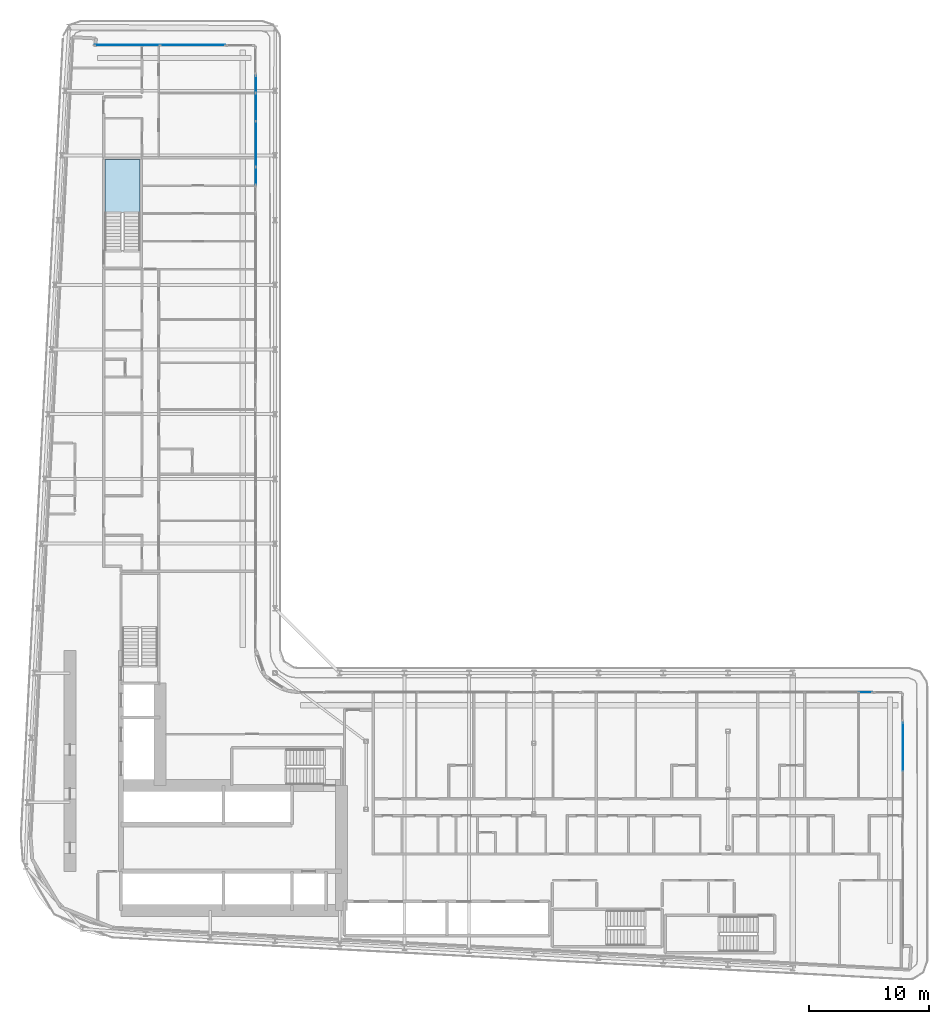
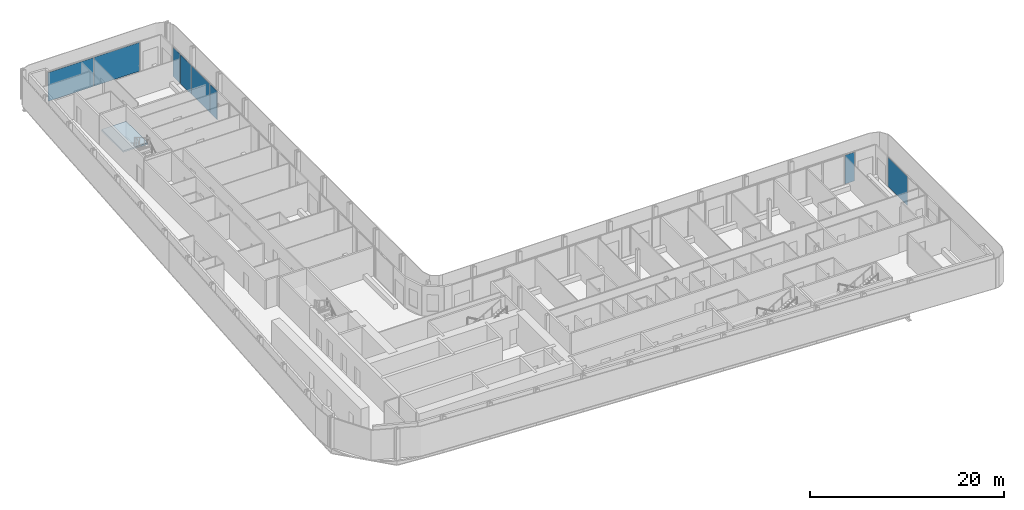
# One storey, part 13 of 29: 8 plates, 1 slab, 6 elements without a shape of their own.
"""IFC4 building model written with IfcOpenShell, lengths in metres."""

from ifc_helpers import new_model, si_unit, direction, frame, origin, origin_2d, place, context, subcontext, project, spatial, polyline, rectangle, outline, extrude, material, layer, layer_set, type_object, element, aggregate, save


model = new_model("IFC4")

# Units and contexts
model_context = context("Model", 3, precision=1e-05, world=origin(), true_north=direction((0.0, 1.0)))
body_context = subcontext(model_context, "Body", "Model", "MODEL_VIEW")
ifc_project = project(units=[si_unit("LENGTHUNIT", "METRE"), si_unit("AREAUNIT", "SQUARE_METRE"), si_unit("VOLUMEUNIT", "CUBIC_METRE"), si_unit("PLANEANGLEUNIT", "RADIAN"), si_unit("MASSUNIT", "GRAM", prefix="KILO")], contexts=[model_context])

# Site, building, storey
site_placement = place(None, origin())
site = spatial("IfcSite", under=ifc_project, at=site_placement, CompositionType="ELEMENT")
building_placement = place(site_placement, origin())
building = spatial("IfcBuilding", under=site, at=building_placement, Name="Kheshtan School and Residences Tower", CompositionType="ELEMENT")
storey_placement = place(building_placement, frame((0.0, 0.0, 61.699951171875)))
storey = spatial("IfcBuildingStorey", under=building, at=storey_placement, Name="L14", CompositionType="ELEMENT", Elevation=61.699951171875)

# Curtain wall, plates
ifc_material_1 = material(Name="Clear low-e glass in thermally broken aluminium frame", Category="aluminium")
ifc_layer_1 = layer(ifc_material_1, 0.199951171875)
ifc_layer_set_1 = layer_set([ifc_layer_1], Name="Curtain wall CW-L")
curtain_wall_type = type_object("IfcCurtainWallType", Name="Curtain wall CW-L", PredefinedType="NOTDEFINED", material=ifc_layer_set_1)
curtain_wall_1_placement = place(storey_placement, origin())
curtain_wall_1 = element("IfcCurtainWall", 1, at=curtain_wall_1_placement, inside=storey, type_object=curtain_wall_type, Name="Curtain wall CWL7", PredefinedType="NOTDEFINED")
ifc_layer_2 = layer(ifc_material_1, 0.031982421875)
ifc_layer_set_2 = layer_set([ifc_layer_2], Name="CW-L glass panel")
plate_type = type_object("IfcPlateType", Name="CW-L glass panel", PredefinedType="CURTAIN_PANEL", material=ifc_layer_set_2)
plate_1_placement = place(storey_placement, frame((35.259033203125, 98.0, 0.0), z_axis=(0.0, 0.0, 1.0), x_axis=(1.0, 0.0, 0.0)))
plate_1 = element("IfcPlate", 2, at=plate_1_placement, type_object=plate_type, Name="CWL7 panel 1.1", PredefinedType="CURTAIN_PANEL", context=body_context, shape_type="SweptSolid", body=[
    extrude(rectangle(XDim=5.4140625, YDim=0.031982421875, at=origin_2d()), origin(), (0.0, 0.0, 1.0), 3.6298828125),
])
plate_2_placement = place(storey_placement, frame((40.73291015625, 98.0, 0.0), z_axis=(0.0, 0.0, 1.0), x_axis=(1.0, 0.0, 0.0)))
plate_2 = element("IfcPlate", 3, at=plate_2_placement, type_object=plate_type, Name="CWL7 panel 2.1", PredefinedType="CURTAIN_PANEL", context=body_context, shape_type="SweptSolid", body=[
    extrude(rectangle(XDim=5.4140625, YDim=0.031982421875, at=origin_2d()), origin(), (0.0, 0.0, 1.0), 3.6298828125),
])
aggregate(curtain_wall_1, [plate_1, plate_2])

curtain_wall_2_placement = place(storey_placement, origin())
curtain_wall_2 = element("IfcCurtainWall", 4, at=curtain_wall_2_placement, inside=storey, type_object=curtain_wall_type, Name="Curtain wall CWL8c", PredefinedType="NOTDEFINED")
plate_3_placement = place(storey_placement, frame((46.0, 94.735107421875, 0.0), z_axis=(0.0, 0.0, 1.0), x_axis=(0.0, -1.0, 0.0)))
plate_3 = element("IfcPlate", 5, at=plate_3_placement, type_object=plate_type, Name="CWL8c panel 1.1", PredefinedType="CURTAIN_PANEL", context=body_context, shape_type="SweptSolid", body=[
    extrude(rectangle(XDim=1.409912109375, YDim=0.031982421875, at=origin_2d()), origin(), (0.0, 0.0, 1.0), 3.6298828125),
])
plate_4_placement = place(storey_placement, frame((46.0, 92.826416015625, 0.0), z_axis=(0.0, 0.0, 1.0), x_axis=(0.0, -1.0, 0.0)))
plate_4 = element("IfcPlate", 6, at=plate_4_placement, type_object=plate_type, Name="CWL8c panel 2.1", PredefinedType="CURTAIN_PANEL", context=body_context, shape_type="SweptSolid", body=[
    extrude(rectangle(XDim=2.287109375, YDim=0.031982421875, at=origin_2d()), origin(), (0.0, 0.0, 1.0), 3.6298828125),
])
plate_5_placement = place(storey_placement, frame((46.0, 89.744384765625, 0.0), z_axis=(0.0, 0.0, 1.0), x_axis=(0.0, -1.0, 0.0)))
plate_5 = element("IfcPlate", 7, at=plate_5_placement, type_object=plate_type, Name="CWL8c panel 3.1", PredefinedType="CURTAIN_PANEL", context=body_context, shape_type="SweptSolid", body=[
    extrude(rectangle(XDim=3.757080078125, YDim=0.031982421875, at=origin_2d()), origin(), (0.0, 0.0, 1.0), 3.6298828125),
])
aggregate(curtain_wall_2, [plate_3, plate_4, plate_5])

# Curtain wall, plate
curtain_wall_3_placement = place(storey_placement, origin())
curtain_wall_3 = element("IfcCurtainWall", 8, at=curtain_wall_3_placement, inside=storey, type_object=curtain_wall_type, Name="Curtain wall CWL8a", PredefinedType="NOTDEFINED")
plate_6_placement = place(storey_placement, frame((46.0, 87.0859375, 0.0), z_axis=(0.0, 0.0, 1.0), x_axis=(0.0, -1.0, 0.0)))
plate_6 = element("IfcPlate", 9, at=plate_6_placement, type_object=plate_type, Name="CWL8a panel 1.1", PredefinedType="CURTAIN_PANEL", context=body_context, shape_type="SweptSolid", body=[
    extrude(rectangle(XDim=1.43994140625, YDim=0.031982421875, at=origin_2d()), origin(), (0.0, 0.0, 1.0), 3.6298828125),
])
aggregate(curtain_wall_3, [plate_6])

curtain_wall_4_placement = place(storey_placement, origin())
curtain_wall_4 = element("IfcCurtainWall", 10, at=curtain_wall_4_placement, inside=storey, type_object=curtain_wall_type, Name="Curtain wall CWL12m", PredefinedType="NOTDEFINED")
plate_7_placement = place(storey_placement, frame((96.885009765625, 44.0, 0.0), z_axis=(0.0, 0.0, 1.0), x_axis=(1.0, 0.0, 0.0)))
plate_7 = element("IfcPlate", 11, at=plate_7_placement, type_object=plate_type, Name="CWL12m panel 4.1", PredefinedType="CURTAIN_PANEL", context=body_context, shape_type="SweptSolid", body=[
    extrude(rectangle(XDim=1.110107421875, YDim=0.031982421875, at=origin_2d()), origin(), (0.0, 0.0, 1.0), 3.6298828125),
])
aggregate(curtain_wall_4, [plate_7])

curtain_wall_5_placement = place(storey_placement, origin())
curtain_wall_5 = element("IfcCurtainWall", 12, at=curtain_wall_5_placement, inside=storey, type_object=curtain_wall_type, Name="Curtain wall CWL13b", PredefinedType="NOTDEFINED")
plate_8_placement = place(storey_placement, frame((100.0, 39.436767578125, 0.0), z_axis=(0.0, 0.0, 1.0), x_axis=(0.0, -1.0, 0.0)))
plate_8 = element("IfcPlate", 13, at=plate_8_placement, type_object=plate_type, Name="CWL13b panel 1.1", PredefinedType="CURTAIN_PANEL", context=body_context, shape_type="SweptSolid", body=[
    extrude(rectangle(XDim=4.006591796875, YDim=0.031982421875, at=origin_2d()), origin(), (0.0, 0.0, 1.0), 3.6298828125),
])
aggregate(curtain_wall_5, [plate_8])

# Stair, slab
ifc_material_2 = material(Name="Concrete C40/50", Category="concrete")
stair_type = type_object("IfcStairType", Name="Exit stair, half-turn", PredefinedType="HALF_TURN_STAIR", material=ifc_material_2)
stair_placement = place(storey_placement, origin())
stair = element("IfcStair", 14, at=stair_placement, inside=storey, type_object=stair_type, Name="L14 Protected Exit Stair ST3", PredefinedType="HALF_TURN_STAIR")
ifc_layer_3 = layer(ifc_material_2, 0.199951171875)
ifc_layer_set_3 = layer_set([ifc_layer_3], Name="Stair landing 200 Concrete C40/50")
slab_type = type_object("IfcSlabType", Name="Stair landing 200 Concrete C40/50", PredefinedType="LANDING", material=ifc_layer_set_3)
slab_placement = place(storey_placement, frame((0.0, 0.0, 1.75)))
slab = element("IfcSlab", 15, at=slab_placement, type_object=slab_type, Name="ST3 landing 1", PredefinedType="LANDING", context=body_context, shape_type="SweptSolid", body=[
    extrude(outline(polyline([(36.35009765625, 83.97998046875), (36.35009765625, 88.4599609375), (33.39990234375, 88.4599609375), (33.39990234375, 83.97998046875), (36.35009765625, 83.97998046875)])), origin(), (0.0, 0.0, 1.0), 0.199951171875),
])
aggregate(stair, [slab])

save(model, "model.ifc")
